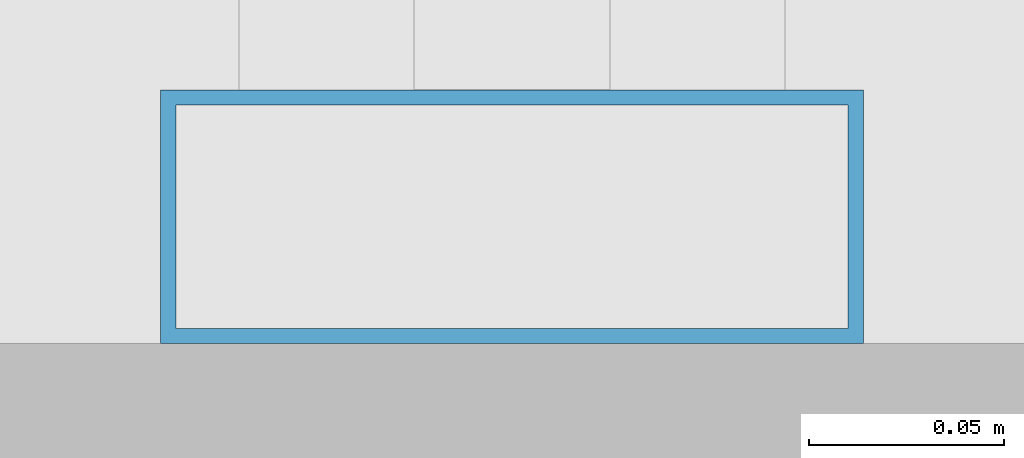
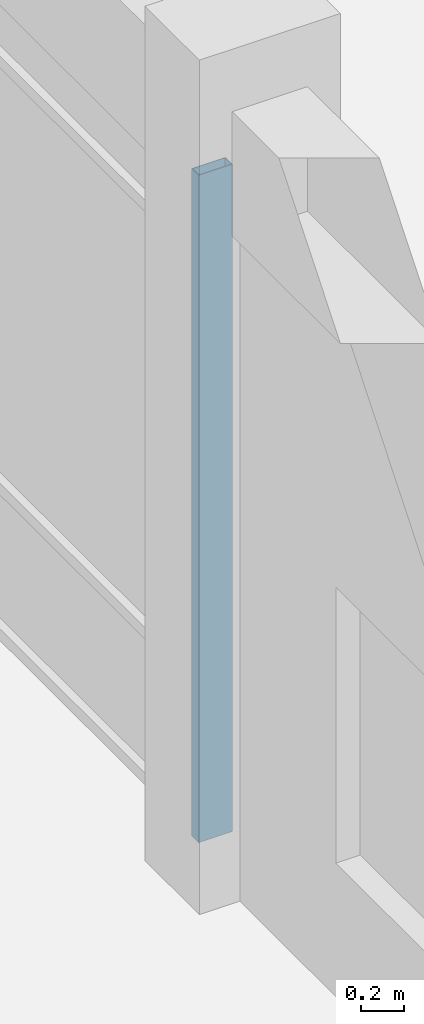
# One storey, part 37 of 74: 1 member, 1 element without a shape of its own.
"""IFC4 building model written with IfcOpenShell, lengths in metres."""

import ifcopenshell
import ifcopenshell.guid

model = None  # the IFC model being written
_history = None  # IfcOwnerHistory: only IFC2X3 demands one
_inside = {}  # id of a spatial element -> (the spatial element, [elements in it])
_under = {}  # id of a project, library or spatial element -> (it, [spatial elements below it])
_declared = {}  # id of a project -> (the project, [libraries it declares])
_typed = {}  # id of a type object -> (the type object, [elements of that type])
_made_of = {}  # id of a material, layer set ... -> (it, [elements and type objects made of it])


def new_model(schema):
    """Start an empty IFC model of exactly this schema.

    Asked for "IFC4X3", IfcOpenShell would pick the latest addendum, in which some entities
    have other attributes; the version numbers below select the first issue.
    IFC2X3 requires an IfcOwnerHistory on every rooted entity: one is made here for all.
    """
    global model, _history
    if schema == "IFC4X3":
        model = ifcopenshell.file(schema_version=(4, 3, 0, 0))
    else:
        model = ifcopenshell.file(schema=schema)
    _inside.clear()
    _under.clear()
    _declared.clear()
    _typed.clear()
    _made_of.clear()
    _history = None
    if model.schema == "IFC2X3":
        org = make("IfcOrganization", Name="unknown")
        user = make(
            "IfcPersonAndOrganization",
            ThePerson=make("IfcPerson", FamilyName="unknown"),
            TheOrganization=org,
        )
        app = make(
            "IfcApplication",
            ApplicationDeveloper=org,
            Version="unknown",
            ApplicationFullName="unknown",
            ApplicationIdentifier="unknown",
        )
        _history = make(
            "IfcOwnerHistory",
            OwningUser=user,
            OwningApplication=app,
            ChangeAction="ADDED",
            CreationDate=0,
        )
    return model


def make(cls, **values):
    """One entity of the class cls with the attributes given. An attribute that is None is left unset."""
    return model.create_entity(
        cls, **{name: value for name, value in values.items() if value is not None}
    )


def rooted(cls, **values):
    """An entity with a GlobalId (a new one), such as an element, a storey or a relation."""
    return make(cls, GlobalId=ifcopenshell.guid.new(), OwnerHistory=_history, **values)


def si_unit(unit_type, name, prefix=None):
    """IfcSIUnit, for example si_unit("LENGTHUNIT", "METRE", prefix="MILLI")."""
    return make("IfcSIUnit", UnitType=unit_type, Prefix=prefix, Name=name)


def assignment(units):
    """IfcUnitAssignment: the units of a project."""
    return None if units is None else make("IfcUnitAssignment", Units=units)


def point(xyz):
    """IfcCartesianPoint."""
    return None if xyz is None else make("IfcCartesianPoint", Coordinates=xyz)


def direction(xyz):
    """IfcDirection."""
    return None if xyz is None else make("IfcDirection", DirectionRatios=xyz)


def frame(location, z_axis=None, x_axis=None):
    """IfcAxis2Placement3D, a coordinate frame: its origin and axes. An axis left out is left unset."""
    return make(
        "IfcAxis2Placement3D",
        Location=point(location),
        Axis=direction(z_axis),
        RefDirection=direction(x_axis),
    )


def frame_2d(location, x_axis=None):
    """IfcAxis2Placement2D, a coordinate frame in the plane: its origin and x axis."""
    return make(
        "IfcAxis2Placement2D", Location=point(location), RefDirection=direction(x_axis)
    )


def origin():
    """The frame at (0, 0, 0) with its axes left unset."""
    return frame((0.0, 0.0, 0.0))


def origin_2d():
    """The frame at (0, 0) in the plane with its x axis left unset."""
    return frame_2d((0.0, 0.0))


def place(relative_to, where):
    """IfcLocalPlacement: puts the frame where relative to a parent placement (None: the world)."""
    return make(
        "IfcLocalPlacement", PlacementRelTo=relative_to, RelativePlacement=where
    )


def context(
    kind, dimensions, precision=None, world=None, true_north=None, identifier=None
):
    """IfcGeometricRepresentationContext, for example the 3D "Model" context."""
    return make(
        "IfcGeometricRepresentationContext",
        ContextIdentifier=identifier,
        ContextType=kind,
        CoordinateSpaceDimension=dimensions,
        Precision=precision,
        WorldCoordinateSystem=world,
        TrueNorth=true_north,
    )


def subcontext(parent, identifier, kind, view, scale=None):
    """IfcGeometricRepresentationSubContext, for example "Body" below "Model"."""
    return make(
        "IfcGeometricRepresentationSubContext",
        ContextIdentifier=identifier,
        ContextType=kind,
        ParentContext=parent,
        TargetScale=scale,
        TargetView=view,
    )


def project(units=None, contexts=None):
    """IfcProject with its units and contexts."""
    return rooted(
        "IfcProject",
        Name="project",
        RepresentationContexts=contexts,
        UnitsInContext=assignment(units),
    )


def spatial(cls, under=None, at=None, **own):
    """A site, building, storey or space (cls), placed at a placement, below another one or the project."""
    s = rooted(cls, ObjectPlacement=at, **own)
    if under is not None:
        _under.setdefault(under.id(), (under, []))[1].append(s)
    return s


def profile(cls, at=None, kind="AREA", **sizes):
    """A parametric profile (cls). Its sizes go by their IFC names, for example OverallWidth=200.0."""
    return make(cls, ProfileType=kind, Position=at, **sizes)


def hollow_rectangle(**sizes):
    """IfcRectangleHollowProfileDef."""
    return profile("IfcRectangleHollowProfileDef", **sizes)


def extrude(swept, where, along, depth):
    """IfcExtrudedAreaSolid: the profile swept, set in the frame where, extruded along a direction by depth."""
    return make(
        "IfcExtrudedAreaSolid",
        SweptArea=swept,
        Position=where,
        ExtrudedDirection=direction(along),
        Depth=depth,
    )


def shape(context_of_items, identifier, shape_type, items):
    """IfcShapeRepresentation: the items that make up one representation, for example the "Body"."""
    return make(
        "IfcShapeRepresentation",
        ContextOfItems=context_of_items,
        RepresentationIdentifier=identifier,
        RepresentationType=shape_type,
        Items=items,
    )


def material(Name=None, Category=None):
    """IfcMaterial."""
    return make("IfcMaterial", Name=Name, Category=Category)


def material_profile(
    of_material, cross_section, Name=None, Category=None, Priority=None
):
    """IfcMaterialProfile: a cross section and its material."""
    return make(
        "IfcMaterialProfile",
        Name=Name,
        Material=of_material,
        Profile=cross_section,
        Priority=Priority,
        Category=Category,
    )


def profile_set(profiles, Name=None, composite=None):
    """IfcMaterialProfileSet."""
    return make(
        "IfcMaterialProfileSet",
        Name=Name,
        MaterialProfiles=profiles,
        CompositeProfile=composite,
    )


def made_of(thing, what):
    """Note that an element or type object is made of a material, layer set ...; save() writes the relation."""
    if what is not None:
        _made_of.setdefault(what.id(), (what, []))[1].append(thing)
    return thing


def type_object(cls, material=None, **own):
    """A type object (cls), such as IfcWallType, which elements share."""
    return made_of(rooted(cls, **own), material)


def element(
    cls,
    number,
    at=None,
    inside=None,
    cuts=None,
    type_object=None,
    material=None,
    context=None,
    identifier="Body",
    shape_type=None,
    held_by="IfcProductDefinitionShape",
    body=None,
    shapes=None,
    **own,
):
    """One element of the class cls, such as IfcWall. Its Tag is "e" and its number.

    at: its placement. inside: the storey or other place that contains it. cuts: it is an
    opening in that element (IfcRelVoidsElement). A single representation is given by context,
    identifier, shape_type and body (its items); several are given by shapes. held_by: the class
    of the entity that holds the representations. save() writes the other relations.
    """
    e = rooted(cls, Tag="e%d" % number, ObjectPlacement=at, **own)
    if body is not None:
        shapes = [shape(context, identifier, shape_type, body)]
    if shapes is not None:
        e.Representation = make(held_by, Representations=shapes)
    if inside is not None:
        _inside.setdefault(inside.id(), (inside, []))[1].append(e)
    if cuts is not None:
        rooted(
            "IfcRelVoidsElement", RelatingBuildingElement=cuts, RelatedOpeningElement=e
        )
    if type_object is not None:
        _typed.setdefault(type_object.id(), (type_object, []))[1].append(e)
    return made_of(e, material)


def aggregate(whole, parts):
    """IfcRelAggregates: a whole, such as a stair, and the parts it consists of."""
    return rooted("IfcRelAggregates", RelatingObject=whole, RelatedObjects=parts)


def save(model, path):
    """Write the relations noted so far, then the file.

    IfcRelAggregates (storeys below a building ...), IfcRelContainedInSpatialStructure (elements
    in a storey), IfcRelDefinesByType, IfcRelAssociatesMaterial and IfcRelDeclares: one each for
    every whole, place, type object, material and project.
    """
    for whole, parts in _under.values():
        aggregate(whole, parts)
    for where, things in _inside.values():
        rooted(
            "IfcRelContainedInSpatialStructure",
            RelatedElements=things,
            RelatingStructure=where,
        )
    for kind, things in _typed.values():
        rooted("IfcRelDefinesByType", RelatedObjects=things, RelatingType=kind)
    for what, things in _made_of.values():
        rooted("IfcRelAssociatesMaterial", RelatedObjects=things, RelatingMaterial=what)
    for by, libraries in _declared.values():
        rooted("IfcRelDeclares", RelatingContext=by, RelatedDefinitions=libraries)
    model.write(path)


model = new_model("IFC4")

# Units and contexts
model_context = context("Model", 3, precision=1e-05, world=origin(), true_north=direction((0.0, 1.0)))
body_context = subcontext(model_context, "Body", "Model", "MODEL_VIEW")
ifc_project = project(units=[si_unit("LENGTHUNIT", "METRE"), si_unit("AREAUNIT", "SQUARE_METRE"), si_unit("VOLUMEUNIT", "CUBIC_METRE"), si_unit("PLANEANGLEUNIT", "RADIAN"), si_unit("MASSUNIT", "GRAM", prefix="KILO"), si_unit("THERMODYNAMICTEMPERATUREUNIT", "KELVIN"), si_unit("POWERUNIT", "WATT")], contexts=[model_context])

# Site, building, storey
site_placement = place(None, origin())
site = spatial("IfcSite", under=ifc_project, at=site_placement, CompositionType="ELEMENT")
building_placement = place(site_placement, origin())
building = spatial("IfcBuilding", under=site, at=building_placement, Name="Srebrne Nadtorze General Hospital", CompositionType="ELEMENT")
storey_placement = place(building_placement, origin())
storey = spatial("IfcBuildingStorey", under=building, at=storey_placement, Name="L00", CompositionType="ELEMENT", Elevation=0.0)

# Curtain wall, member
ifc_material_1 = material(Name="Anodised Aluminium", Category="aluminium")
curtain_wall_type = type_object("IfcCurtainWallType", Name="Unitised curtain wall 7725x3750", PredefinedType="NOTDEFINED", material=ifc_material_1)
curtain_wall_placement = place(storey_placement, origin())
curtain_wall = element("IfcCurtainWall", 1, at=curtain_wall_placement, inside=storey, type_object=curtain_wall_type, Name="Curtain wall CW-029", PredefinedType="NOTDEFINED")
ifc_material_2 = material(Name="Anodised Aluminium", Category="aluminium")
ifc_material_profile = material_profile(ifc_material_2, hollow_rectangle(XDim=0.06494140625, YDim=0.179931640625, WallThickness=0.00390625, at=origin_2d()), Name="AL-MUL-65x180")
ifc_profile_set = profile_set([ifc_material_profile], Name="Anodised Aluminium")
member_type = type_object("IfcMemberType", Name="Curtain mullion 65x180", PredefinedType="MULLION", material=ifc_profile_set)
member_placement = place(storey_placement, frame((171.60009765625, 42.282470703125, 0.0), z_axis=(0.0, 0.0, 1.0), x_axis=(0.0, 1.0, 0.0)))
member = element("IfcMember", 2, at=member_placement, type_object=member_type, Name="CW-029 mullion 1", PredefinedType="MULLION", context=body_context, shape_type="SweptSolid", body=[
    extrude(hollow_rectangle(XDim=0.06494140625, YDim=0.179931640625, WallThickness=0.00390625, at=origin_2d()), origin(), (0.0, 0.0, 1.0), 3.75),
])
aggregate(curtain_wall, [member])

save(model, "model.ifc")
